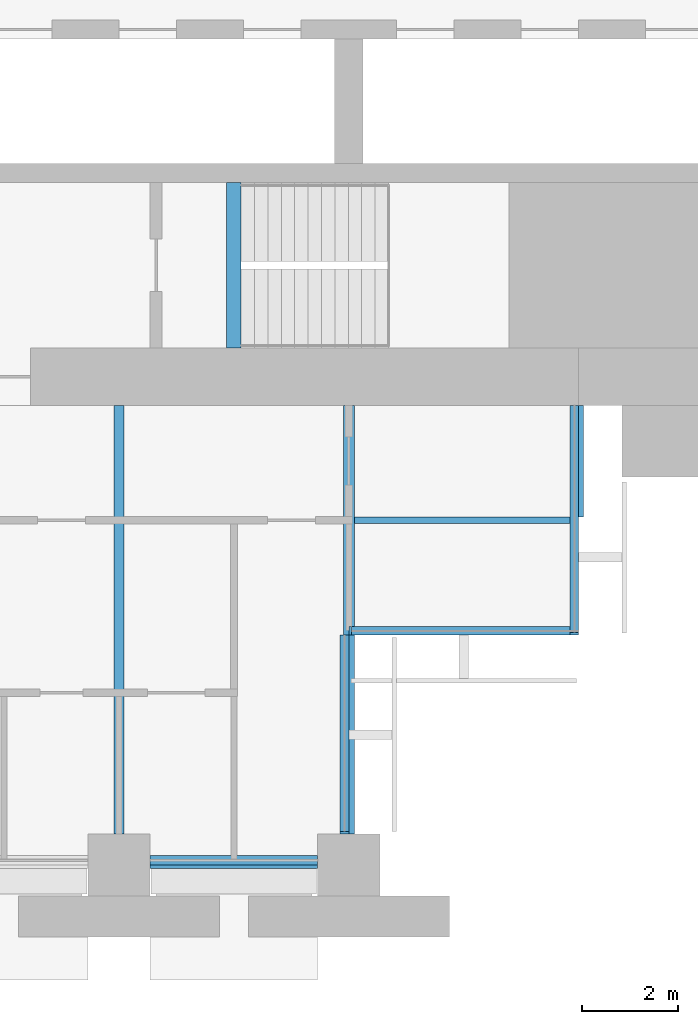
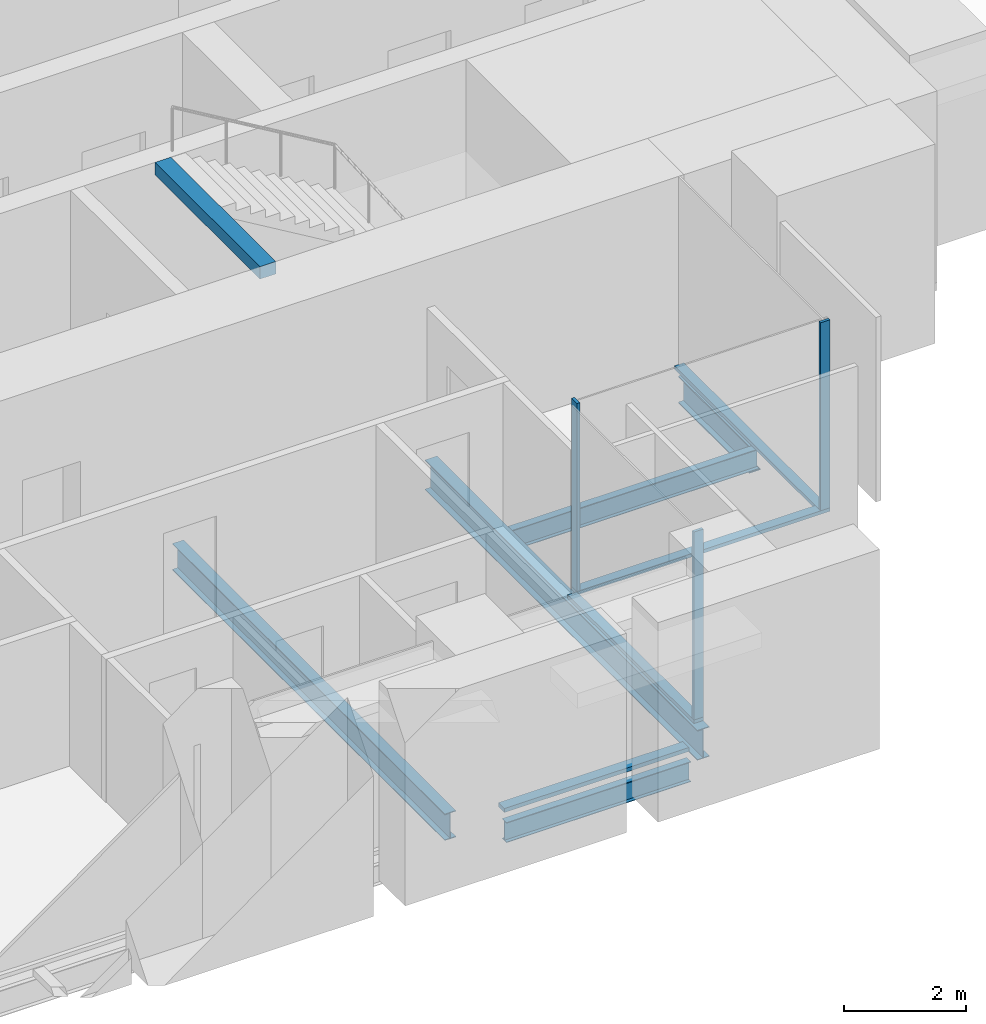
# One storey, part 4 of 15: 7 members, 6 beams, 4 elements without a shape of their own.
"""IFC4 building model written with IfcOpenShell, lengths in metres."""

from ifc_helpers import new_model, si_unit, direction, frame, origin, origin_2d, place, context, subcontext, project, spatial, rectangle, i_section, extrude, material, material_profile, profile_set, type_object, element, aggregate, save


model = new_model("IFC4")

# Units and contexts
model_context = context("Model", 3, precision=1e-05, world=origin(), true_north=direction((0.0, 1.0)))
body_context = subcontext(model_context, "Body", "Model", "MODEL_VIEW")
ifc_project = project(units=[si_unit("LENGTHUNIT", "METRE"), si_unit("AREAUNIT", "SQUARE_METRE"), si_unit("VOLUMEUNIT", "CUBIC_METRE"), si_unit("PLANEANGLEUNIT", "RADIAN"), si_unit("MASSUNIT", "GRAM", prefix="KILO")], contexts=[model_context])

# Site, building, storey
site_placement = place(None, origin())
site = spatial("IfcSite", under=ifc_project, at=site_placement, CompositionType="ELEMENT")
building_placement = place(site_placement, origin())
building = spatial("IfcBuilding", under=site, at=building_placement, Name="Baori Bourse Tower", CompositionType="ELEMENT")
storey_placement = place(building_placement, frame((0.0, 0.0, 47.0)))
storey = spatial("IfcBuildingStorey", under=building, at=storey_placement, Name="L09", CompositionType="ELEMENT", Elevation=47.0)

# Curtain wall, member
ifc_material_1 = material(Name="Pale anodised aluminium", Category="aluminium")
curtain_wall_type_1 = type_object("IfcCurtainWallType", Name="CW1 Curtain wall", PredefinedType="NOTDEFINED", material=ifc_material_1)
curtain_wall_1_placement = place(storey_placement, origin())
curtain_wall_1 = element("IfcCurtainWall", 1, at=curtain_wall_1_placement, inside=storey, type_object=curtain_wall_type_1, Name="Curtain wall CW1 L09 15", PredefinedType="NOTDEFINED")
ifc_material_2 = material(Name="Pale anodised aluminium", Category="aluminium")
ifc_material_profile_1 = material_profile(ifc_material_2, rectangle(XDim=0.199951171875, YDim=0.080078125, at=origin_2d()), Name="Transom 80x200")
ifc_profile_set_1 = profile_set([ifc_material_profile_1], Name="Pale anodised aluminium")
member_type_1 = type_object("IfcMemberType", Name="CW1 Curtain wall transom", PredefinedType="USERDEFINED", material=ifc_profile_set_1)
member_1_placement = place(storey_placement, frame((43.85009765625, 0.10009765625, 0.0400390625), z_axis=(1.0, 0.0, 0.0), x_axis=(0.0, 1.0, 0.0)))
member_1 = element("IfcMember", 2, at=member_1_placement, type_object=member_type_1, Name="Curtain wall CW1 sill rail", ObjectType="TRANSOM", PredefinedType="USERDEFINED", context=body_context, shape_type="SweptSolid", body=[
    extrude(rectangle(XDim=0.199951171875, YDim=0.080078125, at=origin_2d()), origin(), (0.0, 0.0, 1.0), 3.5),
])
aggregate(curtain_wall_1, [member_1])

ifc_material_3 = material(Name="Pale anodised aluminium", Category="aluminium")
curtain_wall_type_2 = type_object("IfcCurtainWallType", Name="CW2 Curtain wall", PredefinedType="NOTDEFINED", material=ifc_material_3)
curtain_wall_2_placement = place(storey_placement, origin())
curtain_wall_2 = element("IfcCurtainWall", 3, at=curtain_wall_2_placement, inside=storey, type_object=curtain_wall_type_2, Name="Curtain wall CW2 L09 16", PredefinedType="NOTDEFINED")
ifc_material_4 = material(Name="Pale anodised aluminium", Category="aluminium")
ifc_material_profile_2 = material_profile(ifc_material_4, rectangle(XDim=0.179931640625, YDim=0.054931640625, at=origin_2d()), Name="Mullion 55x180")
ifc_profile_set_2 = profile_set([ifc_material_profile_2], Name="Pale anodised aluminium")
member_type_2 = type_object("IfcMemberType", Name="CW2 Curtain wall mullion", PredefinedType="MULLION", material=ifc_profile_set_2)
member_2_placement = place(storey_placement, frame((47.909912109375, 0.677490234375, 0.070068359375), z_axis=(0.0, 0.0, 1.0), x_axis=(-1.0, 0.0, 0.0)))
member_2 = element("IfcMember", 4, at=member_2_placement, type_object=member_type_2, Name="Curtain wall CW2 mullion", PredefinedType="MULLION", context=body_context, shape_type="SweptSolid", body=[
    extrude(rectangle(XDim=0.179931640625, YDim=0.054931640625, at=origin_2d()), origin(), (0.0, 0.0, 1.0), 3.77001953125),
])

curtain_wall_3_placement = place(storey_placement, origin())
curtain_wall_3 = element("IfcCurtainWall", 5, at=curtain_wall_3_placement, inside=storey, type_object=curtain_wall_type_2, Name="Curtain wall CW2 L09 17", PredefinedType="NOTDEFINED")
member_3_placement = place(storey_placement, frame((48.027587890625, 4.889892578125, 0.070068359375), z_axis=(0.0, 0.0, 1.0), x_axis=(0.0, 1.0, 0.0)))
member_3 = element("IfcMember", 6, at=member_3_placement, type_object=member_type_2, Name="Curtain wall CW2 mullion", PredefinedType="MULLION", context=body_context, shape_type="SweptSolid", body=[
    extrude(rectangle(XDim=0.179931640625, YDim=0.054931640625, at=origin_2d()), origin(), (0.0, 0.0, 1.0), 3.77001953125),
])

curtain_wall_4_placement = place(storey_placement, origin())
curtain_wall_4 = element("IfcCurtainWall", 7, at=curtain_wall_4_placement, inside=storey, type_object=curtain_wall_type_2, Name="Curtain wall CW2 L09 18", PredefinedType="NOTDEFINED")
member_4_placement = place(storey_placement, frame((52.7099609375, 4.827392578125, 0.070068359375), z_axis=(0.0, 0.0, 1.0), x_axis=(-1.0, 0.0, 0.0)))
member_4 = element("IfcMember", 8, at=member_4_placement, type_object=member_type_2, Name="Curtain wall CW2 mullion", PredefinedType="MULLION", context=body_context, shape_type="SweptSolid", body=[
    extrude(rectangle(XDim=0.179931640625, YDim=0.054931640625, at=origin_2d()), origin(), (0.0, 0.0, 1.0), 3.77001953125),
])

# Member
ifc_material_5 = material(Name="Pale anodised aluminium", Category="aluminium")
ifc_material_profile_3 = material_profile(ifc_material_5, rectangle(XDim=0.179931640625, YDim=0.070068359375, at=origin_2d()), Name="Transom 70x180")
ifc_profile_set_3 = profile_set([ifc_material_profile_3], Name="Pale anodised aluminium")
member_type_3 = type_object("IfcMemberType", Name="CW2 Curtain wall transom", PredefinedType="USERDEFINED", material=ifc_profile_set_3)
member_5_placement = place(storey_placement, frame((47.909912109375, 0.64990234375, 0.034912109375), z_axis=(0.0, 1.0, 0.0), x_axis=(-1.0, 0.0, 0.0)))
member_5 = element("IfcMember", 9, at=member_5_placement, type_object=member_type_3, Name="Curtain wall CW2 sill rail", ObjectType="TRANSOM", PredefinedType="USERDEFINED", context=body_context, shape_type="SweptSolid", body=[
    extrude(rectangle(XDim=0.179931640625, YDim=0.070068359375, at=origin_2d()), origin(), (0.0, 0.0, 1.0), 4.150146484375),
])

aggregate(curtain_wall_2, [member_5, member_2])

member_6_placement = place(storey_placement, frame((48.0, 4.889892578125, 0.034912109375), z_axis=(1.0, 0.0, 0.0), x_axis=(0.0, 1.0, 0.0)))
member_6 = element("IfcMember", 10, at=member_6_placement, type_object=member_type_3, Name="Curtain wall CW2 sill rail", ObjectType="TRANSOM", PredefinedType="USERDEFINED", context=body_context, shape_type="SweptSolid", body=[
    extrude(rectangle(XDim=0.179931640625, YDim=0.070068359375, at=origin_2d()), origin(), (0.0, 0.0, 1.0), 4.800048828125),
])

aggregate(curtain_wall_3, [member_6, member_3])

member_7_placement = place(storey_placement, frame((52.7099609375, 4.800048828125, 0.034912109375), z_axis=(0.0, 1.0, 0.0), x_axis=(-1.0, 0.0, 0.0)))
member_7 = element("IfcMember", 11, at=member_7_placement, type_object=member_type_3, Name="Curtain wall CW2 sill rail", ObjectType="TRANSOM", PredefinedType="USERDEFINED", context=body_context, shape_type="SweptSolid", body=[
    extrude(rectangle(XDim=0.179931640625, YDim=0.070068359375, at=origin_2d()), origin(), (0.0, 0.0, 1.0), 4.800048828125),
])

aggregate(curtain_wall_4, [member_7, member_4])

# Beams
ifc_material_6 = material(Name="Steel A992 Gr 50", Category="steel")
ifc_material_profile_4 = material_profile(ifc_material_6, i_section(OverallWidth=0.21240234375, OverallDepth=0.54345703125, WebThickness=0.01318359375, FlangeThickness=0.021240234375, at=origin_2d()), Name="W21x83")
ifc_profile_set_4 = profile_set([ifc_material_profile_4], Name="Steel A992 Gr 50")
beam_type_1 = type_object("IfcBeamType", Name="Core bracket W21x83", PredefinedType="BEAM", material=ifc_profile_set_4)
beam_1_placement = place(storey_placement, frame((52.800048828125, 7.270263671875, -0.431884765625), z_axis=(0.0, 1.0, 0.0), x_axis=(-1.0, 0.0, 0.0)))
element("IfcBeam", 12, at=beam_1_placement, inside=storey, type_object=beam_type_1, Name="Core bracket L09", PredefinedType="BEAM", context=body_context, shape_type="SweptSolid", body=[
    extrude(i_section(OverallWidth=0.21240234375, OverallDepth=0.54345703125, WebThickness=0.01318359375, FlangeThickness=0.021240234375, at=origin_2d()), origin(), (0.0, 0.0, 1.0), 2.329833984375),
])
ifc_material_7 = material(Name="Steel A992 Gr 50", Category="steel")
ifc_material_profile_5 = material_profile(ifc_material_7, i_section(OverallWidth=0.140380859375, OverallDepth=0.40380859375, WebThickness=0.007080078125, FlangeThickness=0.01123046875, at=origin_2d()), Name="W16x31")
ifc_profile_set_5 = profile_set([ifc_material_profile_5], Name="Steel A992 Gr 50")
beam_type_2 = type_object("IfcBeamType", Name="Edge beam W16x31", PredefinedType="BEAM", material=ifc_profile_set_5)
beam_2_placement = place(storey_placement, frame((43.85009765625, 0.0, -0.36181640625), z_axis=(1.0, 0.0, 0.0), x_axis=(0.0, 1.0, 0.0)))
element("IfcBeam", 13, at=beam_2_placement, inside=storey, type_object=beam_type_2, Name="Edge beam L09", PredefinedType="BEAM", context=body_context, shape_type="SweptSolid", body=[
    extrude(i_section(OverallWidth=0.140380859375, OverallDepth=0.40380859375, WebThickness=0.007080078125, FlangeThickness=0.01123046875, at=origin_2d()), origin(), (0.0, 0.0, 1.0), 3.5),
])
ifc_material_8 = material(Name="Steel A992 Gr 50", Category="steel")
ifc_material_profile_6 = material_profile(ifc_material_8, i_section(OverallWidth=0.209228515625, OverallDepth=0.533447265625, WebThickness=0.01025390625, FlangeThickness=0.015625, at=origin_2d()), Name="W21x62")
ifc_profile_set_6 = profile_set([ifc_material_profile_6], Name="Steel A992 Gr 50")
beam_type_3 = type_object("IfcBeamType", Name="Floor beam W21x62", PredefinedType="BEAM", material=ifc_profile_set_6)
beam_3_placement = place(storey_placement, frame((43.199951171875, 0.64990234375, -0.4267578125), z_axis=(0.0, 1.0, 0.0), x_axis=(-1.0, 0.0, 0.0)))
element("IfcBeam", 14, at=beam_3_placement, inside=storey, type_object=beam_type_3, Name="Floor beam L09", PredefinedType="BEAM", context=body_context, shape_type="SweptSolid", body=[
    extrude(i_section(OverallWidth=0.209228515625, OverallDepth=0.533447265625, WebThickness=0.01025390625, FlangeThickness=0.015625, at=origin_2d()), origin(), (0.0, 0.0, 1.0), 8.9501953125),
])
ifc_material_9 = material(Name="Steel A992 Gr 50", Category="steel")
ifc_material_profile_7 = material_profile(ifc_material_9, i_section(OverallWidth=0.227783203125, OverallDepth=0.60205078125, WebThickness=0.010498046875, FlangeThickness=0.014892578125, at=origin_2d()), Name="W24x68")
ifc_profile_set_7 = profile_set([ifc_material_profile_7], Name="Steel A992 Gr 50")
beam_type_4 = type_object("IfcBeamType", Name="Floor beam W24x68", PredefinedType="BEAM", material=ifc_profile_set_7)
beam_4_placement = place(storey_placement, frame((48.0, 0.64990234375, -0.4609375), z_axis=(0.0, 1.0, 0.0), x_axis=(-1.0, 0.0, 0.0)))
element("IfcBeam", 15, at=beam_4_placement, inside=storey, type_object=beam_type_4, Name="Floor beam L09", PredefinedType="BEAM", context=body_context, shape_type="SweptSolid", body=[
    extrude(i_section(OverallWidth=0.227783203125, OverallDepth=0.60205078125, WebThickness=0.010498046875, FlangeThickness=0.014892578125, at=origin_2d()), origin(), (0.0, 0.0, 1.0), 8.9501953125),
])
ifc_material_10 = material(Name="Concrete f'c 50 MPa", Category="concrete")
ifc_material_profile_8 = material_profile(ifc_material_10, rectangle(XDim=0.300048828125, YDim=0.25, at=origin_2d()), Name="RC 300x250")
ifc_profile_set_8 = profile_set([ifc_material_profile_8], Name="Concrete f'c 50 MPa")
beam_type_5 = type_object("IfcBeamType", Name="Stair nib beam RC 300x250", PredefinedType="BEAM", material=ifc_profile_set_8)
beam_5_placement = place(storey_placement, frame((45.60009765625, 10.800048828125, 3.715087890625), z_axis=(0.0, 1.0, 0.0), x_axis=(-1.0, 0.0, 0.0)))
element("IfcBeam", 16, at=beam_5_placement, inside=storey, type_object=beam_type_5, Name="Stair EA nib beam L10", PredefinedType="BEAM", context=body_context, shape_type="SweptSolid", body=[
    extrude(rectangle(XDim=0.300048828125, YDim=0.25, at=origin_2d()), origin(), (0.0, 0.0, 1.0), 3.449951171875),
])
ifc_material_11 = material(Name="Steel A992 Gr 50", Category="steel")
ifc_material_profile_9 = material_profile(ifc_material_11, i_section(OverallWidth=0.140380859375, OverallDepth=0.40380859375, WebThickness=0.007080078125, FlangeThickness=0.01123046875, at=origin_2d()), Name="W16x31")
ifc_profile_set_9 = profile_set([ifc_material_profile_9], Name="Steel A992 Gr 50")
beam_type_6 = type_object("IfcBeamType", Name="Trimmer beam W16x31", PredefinedType="BEAM", material=ifc_profile_set_9)
beam_6_placement = place(storey_placement, frame((48.114013671875, 7.199951171875, -0.36181640625), z_axis=(1.0, 0.0, 0.0), x_axis=(0.0, 1.0, 0.0)))
element("IfcBeam", 17, at=beam_6_placement, inside=storey, type_object=beam_type_6, Name="Trimmer beam L09", PredefinedType="BEAM", context=body_context, shape_type="SweptSolid", body=[
    extrude(i_section(OverallWidth=0.140380859375, OverallDepth=0.40380859375, WebThickness=0.007080078125, FlangeThickness=0.01123046875, at=origin_2d()), origin(), (0.0, 0.0, 1.0), 4.68603515625),
])

save(model, "model.ifc")
